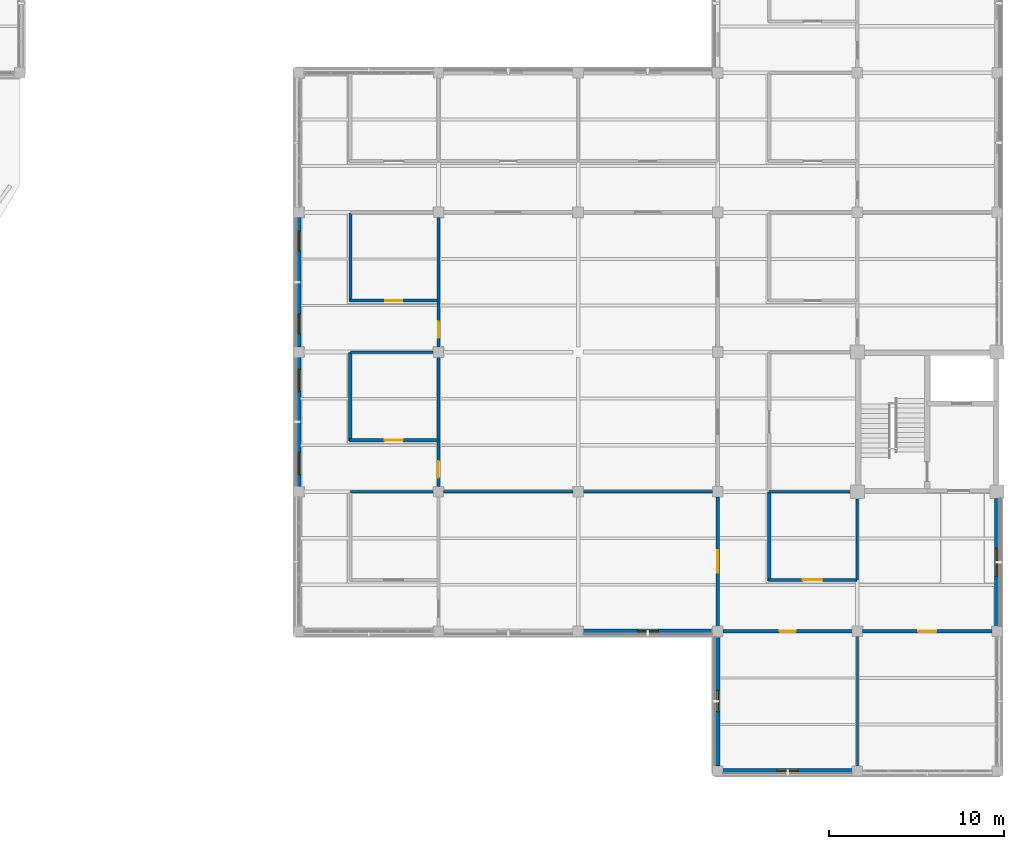
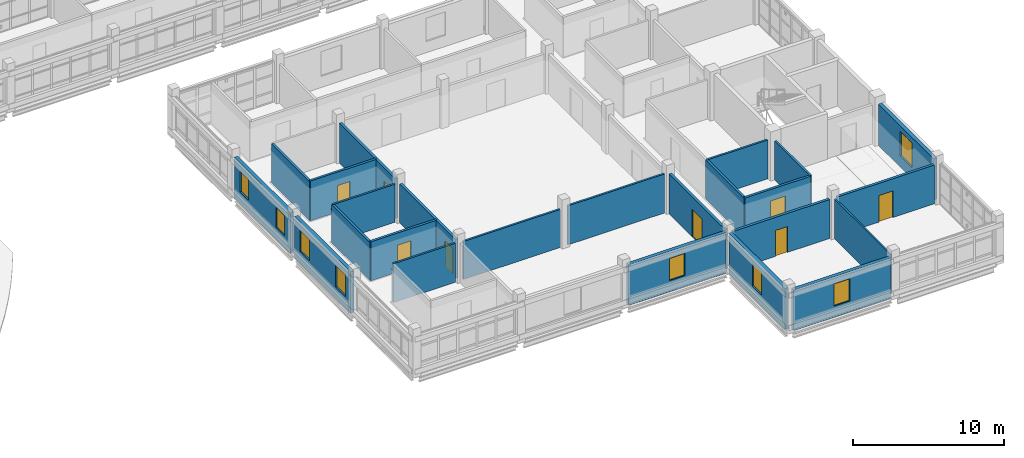
# One storey, part 99 of 126: 24 walls, 8 doors, 8 windows, 16 openings.
"""IFC4 building model written with IfcOpenShell, lengths in metres."""

import ifcopenshell
import ifcopenshell.guid

model = None  # the IFC model being written
_history = None  # IfcOwnerHistory: only IFC2X3 demands one
_inside = {}  # id of a spatial element -> (the spatial element, [elements in it])
_under = {}  # id of a project, library or spatial element -> (it, [spatial elements below it])
_declared = {}  # id of a project -> (the project, [libraries it declares])
_typed = {}  # id of a type object -> (the type object, [elements of that type])
_made_of = {}  # id of a material, layer set ... -> (it, [elements and type objects made of it])


def new_model(schema):
    """Start an empty IFC model of exactly this schema.

    Asked for "IFC4X3", IfcOpenShell would pick the latest addendum, in which some entities
    have other attributes; the version numbers below select the first issue.
    IFC2X3 requires an IfcOwnerHistory on every rooted entity: one is made here for all.
    """
    global model, _history
    if schema == "IFC4X3":
        model = ifcopenshell.file(schema_version=(4, 3, 0, 0))
    else:
        model = ifcopenshell.file(schema=schema)
    _inside.clear()
    _under.clear()
    _declared.clear()
    _typed.clear()
    _made_of.clear()
    _history = None
    if model.schema == "IFC2X3":
        org = make("IfcOrganization", Name="unknown")
        user = make(
            "IfcPersonAndOrganization",
            ThePerson=make("IfcPerson", FamilyName="unknown"),
            TheOrganization=org,
        )
        app = make(
            "IfcApplication",
            ApplicationDeveloper=org,
            Version="unknown",
            ApplicationFullName="unknown",
            ApplicationIdentifier="unknown",
        )
        _history = make(
            "IfcOwnerHistory",
            OwningUser=user,
            OwningApplication=app,
            ChangeAction="ADDED",
            CreationDate=0,
        )
    return model


def make(cls, **values):
    """One entity of the class cls with the attributes given. An attribute that is None is left unset."""
    return model.create_entity(
        cls, **{name: value for name, value in values.items() if value is not None}
    )


def rooted(cls, **values):
    """An entity with a GlobalId (a new one), such as an element, a storey or a relation."""
    return make(cls, GlobalId=ifcopenshell.guid.new(), OwnerHistory=_history, **values)


def si_unit(unit_type, name, prefix=None):
    """IfcSIUnit, for example si_unit("LENGTHUNIT", "METRE", prefix="MILLI")."""
    return make("IfcSIUnit", UnitType=unit_type, Prefix=prefix, Name=name)


def derived_unit(unit_type, elements):
    """IfcDerivedUnit: a product of units, each with its exponent."""
    return make(
        "IfcDerivedUnit",
        Elements=[
            make("IfcDerivedUnitElement", Unit=unit, Exponent=power)
            for unit, power in elements
        ],
        UnitType=unit_type,
    )


def assignment(units):
    """IfcUnitAssignment: the units of a project."""
    return None if units is None else make("IfcUnitAssignment", Units=units)


def point(xyz):
    """IfcCartesianPoint."""
    return None if xyz is None else make("IfcCartesianPoint", Coordinates=xyz)


def direction(xyz):
    """IfcDirection."""
    return None if xyz is None else make("IfcDirection", DirectionRatios=xyz)


def frame(location, z_axis=None, x_axis=None):
    """IfcAxis2Placement3D, a coordinate frame: its origin and axes. An axis left out is left unset."""
    return make(
        "IfcAxis2Placement3D",
        Location=point(location),
        Axis=direction(z_axis),
        RefDirection=direction(x_axis),
    )


def frame_2d(location, x_axis=None):
    """IfcAxis2Placement2D, a coordinate frame in the plane: its origin and x axis."""
    return make(
        "IfcAxis2Placement2D", Location=point(location), RefDirection=direction(x_axis)
    )


def origin():
    """The frame at (0, 0, 0) with its axes left unset."""
    return frame((0.0, 0.0, 0.0))


def place(relative_to, where):
    """IfcLocalPlacement: puts the frame where relative to a parent placement (None: the world)."""
    return make(
        "IfcLocalPlacement", PlacementRelTo=relative_to, RelativePlacement=where
    )


def context(
    kind, dimensions, precision=None, world=None, true_north=None, identifier=None
):
    """IfcGeometricRepresentationContext, for example the 3D "Model" context."""
    return make(
        "IfcGeometricRepresentationContext",
        ContextIdentifier=identifier,
        ContextType=kind,
        CoordinateSpaceDimension=dimensions,
        Precision=precision,
        WorldCoordinateSystem=world,
        TrueNorth=true_north,
    )


def subcontext(parent, identifier, kind, view, scale=None):
    """IfcGeometricRepresentationSubContext, for example "Body" below "Model"."""
    return make(
        "IfcGeometricRepresentationSubContext",
        ContextIdentifier=identifier,
        ContextType=kind,
        ParentContext=parent,
        TargetScale=scale,
        TargetView=view,
    )


def project(units=None, contexts=None):
    """IfcProject with its units and contexts."""
    return rooted(
        "IfcProject",
        Name="project",
        RepresentationContexts=contexts,
        UnitsInContext=assignment(units),
    )


def spatial(cls, under=None, at=None, **own):
    """A site, building, storey or space (cls), placed at a placement, below another one or the project."""
    s = rooted(cls, ObjectPlacement=at, **own)
    if under is not None:
        _under.setdefault(under.id(), (under, []))[1].append(s)
    return s


def profile(cls, at=None, kind="AREA", **sizes):
    """A parametric profile (cls). Its sizes go by their IFC names, for example OverallWidth=200.0."""
    return make(cls, ProfileType=kind, Position=at, **sizes)


def rectangle(**sizes):
    """IfcRectangleProfileDef."""
    return profile("IfcRectangleProfileDef", **sizes)


def extrude(swept, where, along, depth):
    """IfcExtrudedAreaSolid: the profile swept, set in the frame where, extruded along a direction by depth."""
    return make(
        "IfcExtrudedAreaSolid",
        SweptArea=swept,
        Position=where,
        ExtrudedDirection=direction(along),
        Depth=depth,
    )


def shape(context_of_items, identifier, shape_type, items):
    """IfcShapeRepresentation: the items that make up one representation, for example the "Body"."""
    return make(
        "IfcShapeRepresentation",
        ContextOfItems=context_of_items,
        RepresentationIdentifier=identifier,
        RepresentationType=shape_type,
        Items=items,
    )


def material(Name=None, Category=None):
    """IfcMaterial."""
    return make("IfcMaterial", Name=Name, Category=Category)


def layer(
    of_material, thickness, ventilated=None, Name=None, Category=None, Priority=None
):
    """IfcMaterialLayer: one layer of a wall or slab, of a material (None: an air gap)."""
    return make(
        "IfcMaterialLayer",
        Material=of_material,
        LayerThickness=thickness,
        IsVentilated=ventilated,
        Name=Name,
        Category=Category,
        Priority=Priority,
    )


def layer_set(layers, Name=None):
    """IfcMaterialLayerSet."""
    return make("IfcMaterialLayerSet", MaterialLayers=layers, LayerSetName=Name)


def made_of(thing, what):
    """Note that an element or type object is made of a material, layer set ...; save() writes the relation."""
    if what is not None:
        _made_of.setdefault(what.id(), (what, []))[1].append(thing)
    return thing


def type_object(cls, material=None, **own):
    """A type object (cls), such as IfcWallType, which elements share."""
    return made_of(rooted(cls, **own), material)


def element(
    cls,
    number,
    at=None,
    inside=None,
    cuts=None,
    type_object=None,
    material=None,
    context=None,
    identifier="Body",
    shape_type=None,
    held_by="IfcProductDefinitionShape",
    body=None,
    shapes=None,
    **own,
):
    """One element of the class cls, such as IfcWall. Its Tag is "e" and its number.

    at: its placement. inside: the storey or other place that contains it. cuts: it is an
    opening in that element (IfcRelVoidsElement). A single representation is given by context,
    identifier, shape_type and body (its items); several are given by shapes. held_by: the class
    of the entity that holds the representations. save() writes the other relations.
    """
    e = rooted(cls, Tag="e%d" % number, ObjectPlacement=at, **own)
    if body is not None:
        shapes = [shape(context, identifier, shape_type, body)]
    if shapes is not None:
        e.Representation = make(held_by, Representations=shapes)
    if inside is not None:
        _inside.setdefault(inside.id(), (inside, []))[1].append(e)
    if cuts is not None:
        rooted(
            "IfcRelVoidsElement", RelatingBuildingElement=cuts, RelatedOpeningElement=e
        )
    if type_object is not None:
        _typed.setdefault(type_object.id(), (type_object, []))[1].append(e)
    return made_of(e, material)


def fill(opening, filler):
    """IfcRelFillsElement: the door or window that sits in an opening."""
    return rooted(
        "IfcRelFillsElement",
        RelatingOpeningElement=opening,
        RelatedBuildingElement=filler,
    )


def aggregate(whole, parts):
    """IfcRelAggregates: a whole, such as a stair, and the parts it consists of."""
    return rooted("IfcRelAggregates", RelatingObject=whole, RelatedObjects=parts)


def save(model, path):
    """Write the relations noted so far, then the file.

    IfcRelAggregates (storeys below a building ...), IfcRelContainedInSpatialStructure (elements
    in a storey), IfcRelDefinesByType, IfcRelAssociatesMaterial and IfcRelDeclares: one each for
    every whole, place, type object, material and project.
    """
    for whole, parts in _under.values():
        aggregate(whole, parts)
    for where, things in _inside.values():
        rooted(
            "IfcRelContainedInSpatialStructure",
            RelatedElements=things,
            RelatingStructure=where,
        )
    for kind, things in _typed.values():
        rooted("IfcRelDefinesByType", RelatedObjects=things, RelatingType=kind)
    for what, things in _made_of.values():
        rooted("IfcRelAssociatesMaterial", RelatedObjects=things, RelatingMaterial=what)
    for by, libraries in _declared.values():
        rooted("IfcRelDeclares", RelatingContext=by, RelatedDefinitions=libraries)
    model.write(path)


model = new_model("IFC4")

# Units and contexts
model_context = context("Model", 3, precision=1e-05, world=origin(), true_north=direction((0.0, 1.0)))
body_context = subcontext(model_context, "Body", "Model", "MODEL_VIEW")
ifc_project = project(units=[si_unit("LENGTHUNIT", "METRE"), si_unit("AREAUNIT", "SQUARE_METRE"), si_unit("VOLUMEUNIT", "CUBIC_METRE"), si_unit("PLANEANGLEUNIT", "RADIAN"), si_unit("MASSUNIT", "GRAM", prefix="KILO"), derived_unit("THERMALTRANSMITTANCEUNIT", [(si_unit("MASSUNIT", "GRAM", prefix="KILO"), 1), (si_unit("TIMEUNIT", "SECOND"), -3), (si_unit("THERMODYNAMICTEMPERATUREUNIT", "KELVIN"), -1)])], contexts=[model_context])

# Site, building, storey
site_placement = place(None, origin())
site = spatial("IfcSite", under=ifc_project, at=site_placement, CompositionType="ELEMENT")
building_placement = place(site_placement, origin())
building = spatial("IfcBuilding", under=site, at=building_placement, Name="Veyamyaing Civic Hall", CompositionType="ELEMENT")
storey_placement = place(building_placement, frame((0.0, 0.0, 9.89990234375)))
storey = spatial("IfcBuildingStorey", under=building, at=storey_placement, Name="L02", CompositionType="ELEMENT", Elevation=9.89990234375)

# Wall, opening, door
ifc_material_1 = material(Name="Concrete C40/50", Category="concrete")
ifc_layer_1 = layer(ifc_material_1, 0.199951171875, Name="Concrete C40/50")
ifc_layer_set_1 = layer_set([ifc_layer_1], Name="Concrete C40/50")
wall_type_1 = type_object("IfcWallType", Name="WT-06", PredefinedType="PARTITIONING", material=ifc_layer_set_1)
wall_1_placement = place(storey_placement, frame((144.0, 16.2900390625, 0.0), z_axis=(0.0, 0.0, 1.0), x_axis=(0.0, 1.0, 0.0)))
wall_1 = element("IfcWall", 1, at=wall_1_placement, inside=storey, type_object=wall_type_1, Name="Interior partition wall WT-06 L02.47", PredefinedType="PARTITIONING", context=body_context, shape_type="SweptSolid", body=[
    extrude(rectangle(XDim=7.419921875, YDim=0.199951171875, at=frame_2d((3.7099609375, 0.0))), origin(), (0.0, 0.0, 1.0), 3.156982421875),
])
opening_1_placement = place(wall_1_placement, frame((0.52001953125, 0.0, 0.0)))
opening_1 = element("IfcOpeningElement", 2, at=opening_1_placement, cuts=wall_1, Name="Opening D-30", PredefinedType="OPENING", context=body_context, shape_type="SweptSolid", body=[
    extrude(rectangle(XDim=0.93994140625, YDim=2.1201171875, at=frame_2d((0.469970703125, 1.06005859375))), frame((0.0, 0.10986328125, 0.0), z_axis=(0.0, -1.0, 0.0), x_axis=(1.0, 0.0, 0.0)), (0.0, 0.0, 1.0), 0.219970703125),
])
ifc_material_2 = material(Name="Teak-veneered acoustic timber", Category="wood")
door_type_1 = type_object("IfcDoorType", Name="D-30", OperationType="NOTDEFINED", PredefinedType="DOOR", material=ifc_material_2)
door_1_placement = place(opening_1_placement, frame((0.93994140625, 0.0, 0.0), z_axis=(0.0, 0.0, 1.0), x_axis=(-1.0, 0.0, 0.0)))
door_1 = element("IfcDoor", 3, at=door_1_placement, inside=storey, type_object=door_type_1, Name="Interior door D-30 L02.47", OperationType="SINGLE_SWING_LEFT", OverallHeight=2.1201171875, OverallWidth=0.93994140625, PredefinedType="DOOR", context=body_context, shape_type="SweptSolid", body=[
    extrude(rectangle(XDim=0.93994140625, YDim=2.1201171875, at=frame_2d((0.469970703125, 1.06005859375))), frame((0.0, 0.02490234375, 0.0), z_axis=(0.0, -1.0, 0.0), x_axis=(1.0, 0.0, 0.0)), (0.0, 0.0, 1.0), 0.050048828125),
])
fill(opening_1, door_1)

wall_2_placement = place(storey_placement, frame((144.0, 24.2900390625, 0.0), z_axis=(0.0, 0.0, 1.0), x_axis=(0.0, 1.0, 0.0)))
wall_2 = element("IfcWall", 4, at=wall_2_placement, inside=storey, type_object=wall_type_1, Name="Interior partition wall WT-06 L02.48", PredefinedType="PARTITIONING", context=body_context, shape_type="SweptSolid", body=[
    extrude(rectangle(XDim=7.419921875, YDim=0.199951171875, at=frame_2d((3.7099609375, 0.0))), origin(), (0.0, 0.0, 1.0), 3.22705078125),
])
opening_2_placement = place(wall_2_placement, frame((0.52001953125, 0.0, 0.0)))
opening_2 = element("IfcOpeningElement", 5, at=opening_2_placement, cuts=wall_2, Name="Opening D-30", PredefinedType="OPENING", context=body_context, shape_type="SweptSolid", body=[
    extrude(rectangle(XDim=0.93994140625, YDim=2.1201171875, at=frame_2d((0.469970703125, 1.06005859375))), frame((0.0, 0.10986328125, 0.0), z_axis=(0.0, -1.0, 0.0), x_axis=(1.0, 0.0, 0.0)), (0.0, 0.0, 1.0), 0.219970703125),
])
door_2_placement = place(opening_2_placement, frame((0.93994140625, 0.0, 0.0), z_axis=(0.0, 0.0, 1.0), x_axis=(-1.0, 0.0, 0.0)))
door_2 = element("IfcDoor", 6, at=door_2_placement, inside=storey, type_object=door_type_1, Name="Interior door D-30 L02.48", OperationType="SINGLE_SWING_RIGHT", OverallHeight=2.1201171875, OverallWidth=0.93994140625, PredefinedType="DOOR", context=body_context, shape_type="SweptSolid", body=[
    extrude(rectangle(XDim=0.93994140625, YDim=2.1201171875, at=frame_2d((0.469970703125, 1.06005859375))), frame((0.0, 0.02490234375, 0.0), z_axis=(0.0, -1.0, 0.0), x_axis=(1.0, 0.0, 0.0)), (0.0, 0.0, 1.0), 0.050048828125),
])
fill(opening_2, door_2)

wall_3_placement = place(storey_placement, frame((160.0, 8.2900390625, 0.0), z_axis=(0.0, 0.0, 1.0), x_axis=(0.0, 1.0, 0.0)))
wall_3 = element("IfcWall", 7, at=wall_3_placement, inside=storey, type_object=wall_type_1, Name="Interior partition wall WT-06 L02.52", PredefinedType="PARTITIONING", context=body_context, shape_type="SweptSolid", body=[
    extrude(rectangle(XDim=7.419921875, YDim=0.199951171875, at=frame_2d((3.7099609375, 0.0))), origin(), (0.0, 0.0, 1.0), 3.22705078125),
])
opening_3_placement = place(wall_3_placement, frame((3.06005859375, 0.0, 0.0)))
opening_3 = element("IfcOpeningElement", 8, at=opening_3_placement, cuts=wall_3, Name="Opening D-18", PredefinedType="OPENING", context=body_context, shape_type="SweptSolid", body=[
    extrude(rectangle(XDim=1.300048828125, YDim=2.199951171875, at=frame_2d((0.64990234375, 1.10009765625))), frame((0.0, 0.10986328125, 0.0), z_axis=(0.0, -1.0, 0.0), x_axis=(1.0, 0.0, 0.0)), (0.0, 0.0, 1.0), 0.219970703125),
])
ifc_material_3 = material(Name="Anodised aluminium 6063-T6", Category="aluminium")
door_type_2 = type_object("IfcDoorType", Name="D-18", OperationType="DOUBLE_DOOR_SINGLE_SWING", PredefinedType="DOOR", material=ifc_material_3)
door_3_placement = place(opening_3_placement, origin())
door_3 = element("IfcDoor", 9, at=door_3_placement, inside=storey, type_object=door_type_2, Name="Interior door D-18 L02.52", OperationType="DOUBLE_DOOR_SINGLE_SWING", OverallHeight=2.199951171875, OverallWidth=1.300048828125, PredefinedType="DOOR", context=body_context, shape_type="SweptSolid", body=[
    extrude(rectangle(XDim=1.300048828125, YDim=2.199951171875, at=frame_2d((0.64990234375, 1.10009765625))), frame((0.0, 0.02490234375, 0.0), z_axis=(0.0, -1.0, 0.0), x_axis=(1.0, 0.0, 0.0)), (0.0, 0.0, 1.0), 0.050048828125),
])
fill(opening_3, door_3)

wall_4_placement = place(storey_placement, frame((160.2900390625, 8.0, 0.0), z_axis=(0.0, 0.0, 1.0), x_axis=(1.0, 0.0, 0.0)))
wall_4 = element("IfcWall", 10, at=wall_4_placement, inside=storey, type_object=wall_type_1, Name="Interior partition wall WT-06 L02.60", PredefinedType="PARTITIONING", context=body_context, shape_type="SweptSolid", body=[
    extrude(rectangle(XDim=7.419921875, YDim=0.199951171875, at=frame_2d((3.7099609375, 0.0))), origin(), (0.0, 0.0, 1.0), 3.156982421875),
])
opening_4_placement = place(wall_4_placement, frame((3.25, 0.0, 0.0)))
opening_4 = element("IfcOpeningElement", 11, at=opening_4_placement, cuts=wall_4, Name="Opening D-16", PredefinedType="OPENING", context=body_context, shape_type="SweptSolid", body=[
    extrude(rectangle(XDim=0.919921875, YDim=2.10009765625, at=frame_2d((0.4599609375, 1.050048828125))), frame((0.0, 0.10986328125, 0.0), z_axis=(0.0, -1.0, 0.0), x_axis=(1.0, 0.0, 0.0)), (0.0, 0.0, 1.0), 0.219970703125),
])
door_type_3 = type_object("IfcDoorType", Name="D-16", OperationType="NOTDEFINED", PredefinedType="DOOR", material=ifc_material_2)
door_4_placement = place(opening_4_placement, frame((0.919921875, 0.0, 0.0), z_axis=(0.0, 0.0, 1.0), x_axis=(-1.0, 0.0, 0.0)))
door_4 = element("IfcDoor", 12, at=door_4_placement, inside=storey, type_object=door_type_3, Name="Interior door D-16 L02.60", OperationType="SINGLE_SWING_LEFT", OverallHeight=2.10009765625, OverallWidth=0.919921875, PredefinedType="DOOR", context=body_context, shape_type="SweptSolid", body=[
    extrude(rectangle(XDim=0.919921875, YDim=2.10009765625, at=frame_2d((0.4599609375, 1.050048828125))), frame((0.0, 0.02490234375, 0.0), z_axis=(0.0, -1.0, 0.0), x_axis=(1.0, 0.0, 0.0)), (0.0, 0.0, 1.0), 0.050048828125),
])
fill(opening_4, door_4)

wall_5_placement = place(storey_placement, frame((168.2900390625, 8.0, 0.0), z_axis=(0.0, 0.0, 1.0), x_axis=(1.0, 0.0, 0.0)))
wall_5 = element("IfcWall", 13, at=wall_5_placement, inside=storey, type_object=wall_type_1, Name="Interior partition wall WT-06 L02.67", PredefinedType="PARTITIONING", context=body_context, shape_type="SweptSolid", body=[
    extrude(rectangle(XDim=7.419921875, YDim=0.199951171875, at=frame_2d((3.7099609375, 0.0))), origin(), (0.0, 0.0, 1.0), 3.14111328125),
])
opening_5_placement = place(wall_5_placement, frame((3.18505859375, 0.0, 0.0)))
opening_5 = element("IfcOpeningElement", 14, at=opening_5_placement, cuts=wall_5, Name="Opening D-12", PredefinedType="OPENING", context=body_context, shape_type="SweptSolid", body=[
    extrude(rectangle(XDim=1.050048828125, YDim=2.14990234375, at=frame_2d((0.52490234375, 1.074951171875))), frame((0.0, 0.10986328125, 0.0), z_axis=(0.0, -1.0, 0.0), x_axis=(1.0, 0.0, 0.0)), (0.0, 0.0, 1.0), 0.219970703125),
])
door_type_4 = type_object("IfcDoorType", Name="D-12", OperationType="NOTDEFINED", PredefinedType="DOOR", material=ifc_material_2)
door_5_placement = place(opening_5_placement, frame((1.050048828125, 0.0, 0.0), z_axis=(0.0, 0.0, 1.0), x_axis=(-1.0, 0.0, 0.0)))
door_5 = element("IfcDoor", 15, at=door_5_placement, inside=storey, type_object=door_type_4, Name="Interior door D-12 L02.67", OperationType="SINGLE_SWING_RIGHT", OverallHeight=2.14990234375, OverallWidth=1.050048828125, PredefinedType="DOOR", context=body_context, shape_type="SweptSolid", body=[
    extrude(rectangle(XDim=1.050048828125, YDim=2.14990234375, at=frame_2d((0.52490234375, 1.074951171875))), frame((0.0, 0.02490234375, 0.0), z_axis=(0.0, -1.0, 0.0), x_axis=(1.0, 0.0, 0.0)), (0.0, 0.0, 1.0), 0.050048828125),
])
fill(opening_5, door_5)

ifc_material_4 = material(Name="Gypsum board on acoustic steel stud", Category="steel")
ifc_layer_2 = layer(ifc_material_4, 0.175048828125, Name="Gypsum board on acoustic steel stud")
ifc_layer_set_2 = layer_set([ifc_layer_2], Name="Gypsum board on acoustic steel stud")
wall_type_2 = type_object("IfcWallType", Name="WT-07", PredefinedType="PARTITIONING", material=ifc_layer_set_2)
wall_6_placement = place(storey_placement, frame((138.89990234375, 26.949951171875, 0.0), z_axis=(0.0, 0.0, 1.0), x_axis=(1.0, 0.0, 0.0)))
wall_6 = element("IfcWall", 16, at=wall_6_placement, inside=storey, type_object=wall_type_2, Name="Corridor gallery partition WT-07 L02.53.1", PredefinedType="PARTITIONING", context=body_context, shape_type="SweptSolid", body=[
    extrude(rectangle(XDim=5.080078125, YDim=0.175048828125, at=frame_2d((2.5400390625, 0.0))), origin(), (0.0, 0.0, 1.0), 3.22705078125),
])
opening_6_placement = place(wall_6_placement, frame((2.06005859375, 0.0, 0.0)))
opening_6 = element("IfcOpeningElement", 17, at=opening_6_placement, cuts=wall_6, Name="Opening D-25", PredefinedType="OPENING", context=body_context, shape_type="SweptSolid", body=[
    extrude(rectangle(XDim=0.9599609375, YDim=2.139892578125, at=frame_2d((0.47998046875, 1.06982421875))), frame((0.0, 0.097412109375, 0.0), z_axis=(0.0, -1.0, 0.0), x_axis=(1.0, 0.0, 0.0)), (0.0, 0.0, 1.0), 0.195068359375),
])
door_type_5 = type_object("IfcDoorType", Name="D-25", OperationType="NOTDEFINED", PredefinedType="DOOR", material=ifc_material_2)
door_6_placement = place(opening_6_placement, origin())
door_6 = element("IfcDoor", 18, at=door_6_placement, inside=storey, type_object=door_type_5, Name="Gallery office door D-25 L02.53", OperationType="SINGLE_SWING_LEFT", OverallHeight=2.139892578125, OverallWidth=0.9599609375, PredefinedType="DOOR", context=body_context, shape_type="SweptSolid", body=[
    extrude(rectangle(XDim=0.9599609375, YDim=2.139892578125, at=frame_2d((0.47998046875, 1.06982421875))), frame((0.0, 0.02490234375, 0.0), z_axis=(0.0, -1.0, 0.0), x_axis=(1.0, 0.0, 0.0)), (0.0, 0.0, 1.0), 0.050048828125),
])
fill(opening_6, door_6)

# Walls
wall_7_placement = place(storey_placement, frame((138.949951171875, 26.89990234375, 0.0), z_axis=(0.0, 0.0, 1.0), x_axis=(0.0, 1.0, 0.0)))
element("IfcWall", 19, at=wall_7_placement, inside=storey, type_object=wall_type_2, Name="Corridor gallery partition WT-07 L02.53.2", PredefinedType="PARTITIONING", context=body_context, shape_type="SweptSolid", body=[
    extrude(rectangle(XDim=5.080078125, YDim=0.175048828125, at=frame_2d((2.5400390625, 0.0))), origin(), (0.0, 0.0, 1.0), 3.156982421875),
])
ifc_material_5 = material(Name="Gypsum board on steel stud", Category="steel")
ifc_layer_3 = layer(ifc_material_5, 0.14990234375, Name="Gypsum board on steel stud")
ifc_layer_set_3 = layer_set([ifc_layer_3], Name="Gypsum board on steel stud")
wall_type_3 = type_object("IfcWallType", Name="WT-08", PredefinedType="PARTITIONING", material=ifc_layer_set_3)
wall_8_placement = place(storey_placement, frame((138.949951171875, 16.0, 0.0), z_axis=(0.0, 0.0, 1.0), x_axis=(1.0, 0.0, 0.0)))
element("IfcWall", 20, at=wall_8_placement, inside=storey, type_object=wall_type_3, Name="Gallery office end partition WT-08 L02.51.1", PredefinedType="PARTITIONING", context=body_context, shape_type="SweptSolid", body=[
    extrude(rectangle(XDim=4.739990234375, YDim=0.14990234375, at=frame_2d((2.3701171875, 0.0))), origin(), (0.0, 0.0, 1.0), 3.151123046875),
])
wall_9_placement = place(storey_placement, frame((138.949951171875, 24.0, 0.0), z_axis=(0.0, 0.0, 1.0), x_axis=(1.0, 0.0, 0.0)))
element("IfcWall", 21, at=wall_9_placement, inside=storey, type_object=wall_type_3, Name="Gallery office end partition WT-08 L02.52.1", PredefinedType="PARTITIONING", context=body_context, shape_type="SweptSolid", body=[
    extrude(rectangle(XDim=4.739990234375, YDim=0.14990234375, at=frame_2d((2.3701171875, 0.0))), origin(), (0.0, 0.0, 1.0), 3.08203125),
])
wall_10_placement = place(storey_placement, frame((162.949951171875, 16.0, 0.0), z_axis=(0.0, 0.0, 1.0), x_axis=(1.0, 0.0, 0.0)))
element("IfcWall", 22, at=wall_10_placement, inside=storey, type_object=wall_type_3, Name="Gallery office end partition WT-08 L02.64.1", PredefinedType="PARTITIONING", context=body_context, shape_type="SweptSolid", body=[
    extrude(rectangle(XDim=4.64013671875, YDim=0.14990234375, at=frame_2d((2.320068359375, 0.0))), origin(), (0.0, 0.0, 1.0), 3.14111328125),
])
wall_11_placement = place(storey_placement, frame((168.0, 10.949951171875, 0.0), z_axis=(0.0, 0.0, 1.0), x_axis=(0.0, 1.0, 0.0)))
element("IfcWall", 23, at=wall_11_placement, inside=storey, type_object=wall_type_3, Name="Gallery office end partition WT-08 L02.64.2", PredefinedType="PARTITIONING", context=body_context, shape_type="SweptSolid", body=[
    extrude(rectangle(XDim=4.64013671875, YDim=0.14990234375, at=frame_2d((2.320068359375, 0.0))), origin(), (0.0, 0.0, 1.0), 3.151123046875),
])
wall_12_placement = place(storey_placement, frame((144.2900390625, 16.0, 0.0), z_axis=(0.0, 0.0, 1.0), x_axis=(1.0, 0.0, 0.0)))
element("IfcWall", 24, at=wall_12_placement, inside=storey, type_object=wall_type_3, Name="Interior partition wall WT-08 L02.49", PredefinedType="PARTITIONING", context=body_context, shape_type="SweptSolid", body=[
    extrude(rectangle(XDim=7.419921875, YDim=0.14990234375, at=frame_2d((3.7099609375, 0.0))), origin(), (0.0, 0.0, 1.0), 3.08203125),
])
wall_13_placement = place(storey_placement, frame((152.2900390625, 16.0, 0.0), z_axis=(0.0, 0.0, 1.0), x_axis=(1.0, 0.0, 0.0)))
element("IfcWall", 25, at=wall_13_placement, inside=storey, type_object=wall_type_3, Name="Interior partition wall WT-08 L02.53", PredefinedType="PARTITIONING", context=body_context, shape_type="SweptSolid", body=[
    extrude(rectangle(XDim=7.419921875, YDim=0.14990234375, at=frame_2d((3.7099609375, 0.0))), origin(), (0.0, 0.0, 1.0), 3.156982421875),
])
ifc_layer_4 = layer(ifc_material_5, 0.1201171875, Name="Gypsum board on steel stud")
ifc_layer_set_4 = layer_set([ifc_layer_4], Name="Gypsum board on steel stud")
wall_type_4 = type_object("IfcWallType", Name="WT-16", PredefinedType="PARTITIONING", material=ifc_layer_set_4)
wall_14_placement = place(storey_placement, frame((168.0, 0.2900390625, 0.0), z_axis=(0.0, 0.0, 1.0), x_axis=(0.0, 1.0, 0.0)))
element("IfcWall", 26, at=wall_14_placement, inside=storey, type_object=wall_type_4, Name="Interior partition wall WT-16 L02.59", PredefinedType="PARTITIONING", context=body_context, shape_type="SweptSolid", body=[
    extrude(rectangle(XDim=7.419921875, YDim=0.1201171875, at=frame_2d((3.7099609375, 0.0))), origin(), (0.0, 0.0, 1.0), 3.22705078125),
])

# Wall, openings, windows
ifc_material_6 = material(Name="Precast concrete C40/50", Category="concrete")
ifc_layer_5 = layer(ifc_material_6, 0.27001953125, Name="Precast concrete C40/50")
ifc_layer_set_5 = layer_set([ifc_layer_5], Name="Precast concrete C40/50")
wall_type_5 = type_object("IfcWallType", Name="WT-18", PredefinedType="SOLIDWALL", material=ifc_layer_set_5)
wall_15_placement = place(storey_placement, frame((136.0, 16.284912109375, 0.0), z_axis=(0.0, 0.0, 1.0), x_axis=(0.0, 1.0, 0.0)))
wall_15 = element("IfcWall", 27, at=wall_15_placement, inside=storey, type_object=wall_type_5, Name="Exterior facade wall WT-18 L02 W 18.3", PredefinedType="SOLIDWALL", context=body_context, shape_type="SweptSolid", body=[
    extrude(rectangle(XDim=7.43017578125, YDim=0.27001953125, at=frame_2d((3.715087890625, 0.0))), origin(), (0.0, 0.0, 1.0), 3.343994140625),
])
opening_7_placement = place(wall_15_placement, frame((0.697509765625, 0.0, 0.949951171875)))
opening_7 = element("IfcOpeningElement", 28, at=opening_7_placement, cuts=wall_15, Name="Opening W-31", PredefinedType="OPENING", context=body_context, shape_type="SweptSolid", body=[
    extrude(rectangle(XDim=1.280029296875, YDim=1.719970703125, at=frame_2d((0.64013671875, 0.85986328125))), frame((0.0, 0.14501953125, 0.0), z_axis=(0.0, -1.0, 0.0), x_axis=(1.0, 0.0, 0.0)), (0.0, 0.0, 1.0), 0.2900390625),
])
opening_8_placement = place(wall_15_placement, frame((5.45263671875, 0.0, 0.949951171875)))
opening_8 = element("IfcOpeningElement", 29, at=opening_8_placement, cuts=wall_15, Name="Opening W-31", PredefinedType="OPENING", context=body_context, shape_type="SweptSolid", body=[
    extrude(rectangle(XDim=1.280029296875, YDim=1.719970703125, at=frame_2d((0.64013671875, 0.85986328125))), frame((0.0, 0.14501953125, 0.0), z_axis=(0.0, -1.0, 0.0), x_axis=(1.0, 0.0, 0.0)), (0.0, 0.0, 1.0), 0.2900390625),
])
ifc_material_7 = material(Name="Low-E insulated glass", Category="glass")
window_type_1 = type_object("IfcWindowType", Name="W-31", PartitioningType="SINGLE_PANEL", PredefinedType="WINDOW", material=ifc_material_7)
window_1_placement = place(opening_7_placement, origin())
window_1 = element("IfcWindow", 30, at=window_1_placement, inside=storey, type_object=window_type_1, Name="Facade window W-31 L02 W 18.3.1", OverallHeight=1.719970703125, OverallWidth=1.280029296875, PartitioningType="SINGLE_PANEL", PredefinedType="WINDOW", context=body_context, shape_type="SweptSolid", body=[
    extrude(rectangle(XDim=1.280029296875, YDim=1.719970703125, at=frame_2d((0.64013671875, 0.85986328125))), frame((0.0, 0.030029296875, 0.0), z_axis=(0.0, -1.0, 0.0), x_axis=(1.0, 0.0, 0.0)), (0.0, 0.0, 1.0), 0.06005859375),
])
fill(opening_7, window_1)
window_2_placement = place(opening_8_placement, origin())
window_2 = element("IfcWindow", 31, at=window_2_placement, inside=storey, type_object=window_type_1, Name="Facade window W-31 L02 W 18.3.2", OverallHeight=1.719970703125, OverallWidth=1.280029296875, PartitioningType="SINGLE_PANEL", PredefinedType="WINDOW", context=body_context, shape_type="SweptSolid", body=[
    extrude(rectangle(XDim=1.280029296875, YDim=1.719970703125, at=frame_2d((0.64013671875, 0.85986328125))), frame((0.0, 0.030029296875, 0.0), z_axis=(0.0, -1.0, 0.0), x_axis=(1.0, 0.0, 0.0)), (0.0, 0.0, 1.0), 0.06005859375),
])
fill(opening_8, window_2)

wall_16_placement = place(storey_placement, frame((136.0, 24.284912109375, 0.0), z_axis=(0.0, 0.0, 1.0), x_axis=(0.0, 1.0, 0.0)))
wall_16 = element("IfcWall", 32, at=wall_16_placement, inside=storey, type_object=wall_type_5, Name="Exterior facade wall WT-18 L02 W 18.4", PredefinedType="SOLIDWALL", context=body_context, shape_type="SweptSolid", body=[
    extrude(rectangle(XDim=7.43017578125, YDim=0.27001953125, at=frame_2d((3.715087890625, 0.0))), origin(), (0.0, 0.0, 1.0), 3.2841796875),
])
opening_9_placement = place(wall_16_placement, frame((0.762451171875, 0.0, 0.949951171875)))
opening_9 = element("IfcOpeningElement", 33, at=opening_9_placement, cuts=wall_16, Name="Opening W-32", PredefinedType="OPENING", context=body_context, shape_type="SweptSolid", body=[
    extrude(rectangle(XDim=1.14990234375, YDim=1.64990234375, at=frame_2d((0.574951171875, 0.824951171875))), frame((0.0, 0.14501953125, 0.0), z_axis=(0.0, -1.0, 0.0), x_axis=(1.0, 0.0, 0.0)), (0.0, 0.0, 1.0), 0.2900390625),
])
opening_10_placement = place(wall_16_placement, frame((5.517578125, 0.0, 0.949951171875)))
opening_10 = element("IfcOpeningElement", 34, at=opening_10_placement, cuts=wall_16, Name="Opening W-32", PredefinedType="OPENING", context=body_context, shape_type="SweptSolid", body=[
    extrude(rectangle(XDim=1.14990234375, YDim=1.64990234375, at=frame_2d((0.574951171875, 0.824951171875))), frame((0.0, 0.14501953125, 0.0), z_axis=(0.0, -1.0, 0.0), x_axis=(1.0, 0.0, 0.0)), (0.0, 0.0, 1.0), 0.2900390625),
])
window_type_2 = type_object("IfcWindowType", Name="W-32", PartitioningType="SINGLE_PANEL", PredefinedType="WINDOW", material=ifc_material_7)
window_3_placement = place(opening_9_placement, origin())
window_3 = element("IfcWindow", 35, at=window_3_placement, inside=storey, type_object=window_type_2, Name="Facade window W-32 L02 W 18.4.1", OverallHeight=1.64990234375, OverallWidth=1.14990234375, PartitioningType="SINGLE_PANEL", PredefinedType="WINDOW", context=body_context, shape_type="SweptSolid", body=[
    extrude(rectangle(XDim=1.14990234375, YDim=1.64990234375, at=frame_2d((0.574951171875, 0.824951171875))), frame((0.0, 0.030029296875, 0.0), z_axis=(0.0, -1.0, 0.0), x_axis=(1.0, 0.0, 0.0)), (0.0, 0.0, 1.0), 0.06005859375),
])
fill(opening_9, window_3)
window_4_placement = place(opening_10_placement, origin())
window_4 = element("IfcWindow", 36, at=window_4_placement, inside=storey, type_object=window_type_2, Name="Facade window W-32 L02 W 18.4.2", OverallHeight=1.64990234375, OverallWidth=1.14990234375, PartitioningType="SINGLE_PANEL", PredefinedType="WINDOW", context=body_context, shape_type="SweptSolid", body=[
    extrude(rectangle(XDim=1.14990234375, YDim=1.64990234375, at=frame_2d((0.574951171875, 0.824951171875))), frame((0.0, 0.030029296875, 0.0), z_axis=(0.0, -1.0, 0.0), x_axis=(1.0, 0.0, 0.0)), (0.0, 0.0, 1.0), 0.06005859375),
])
fill(opening_10, window_4)

# Wall, opening, window
wall_17_placement = place(storey_placement, frame((152.284912109375, 8.0, 0.0), z_axis=(0.0, 0.0, 1.0), x_axis=(1.0, 0.0, 0.0)))
wall_17 = element("IfcWall", 37, at=wall_17_placement, inside=storey, type_object=wall_type_5, Name="Exterior facade wall WT-18 L02 S 20.2", PredefinedType="SOLIDWALL", context=body_context, shape_type="SweptSolid", body=[
    extrude(rectangle(XDim=7.43017578125, YDim=0.27001953125, at=frame_2d((3.715087890625, 0.0))), origin(), (0.0, 0.0, 1.0), 3.2841796875),
])
opening_11_placement = place(wall_17_placement, frame((3.114990234375, 0.0, 0.89990234375)))
opening_11 = element("IfcOpeningElement", 38, at=opening_11_placement, cuts=wall_17, Name="Opening W-14", PredefinedType="OPENING", context=body_context, shape_type="SweptSolid", body=[
    extrude(rectangle(XDim=1.199951171875, YDim=1.800048828125, at=frame_2d((0.60009765625, 0.89990234375))), frame((0.0, 0.14501953125, 0.0), z_axis=(0.0, -1.0, 0.0), x_axis=(1.0, 0.0, 0.0)), (0.0, 0.0, 1.0), 0.2900390625),
])
window_type_3 = type_object("IfcWindowType", Name="W-14", PartitioningType="SINGLE_PANEL", PredefinedType="WINDOW", material=ifc_material_7)
window_5_placement = place(opening_11_placement, origin())
window_5 = element("IfcWindow", 39, at=window_5_placement, inside=storey, type_object=window_type_3, Name="Facade window W-14 L02 S 20.2", OverallHeight=1.800048828125, OverallWidth=1.199951171875, PartitioningType="SINGLE_PANEL", PredefinedType="WINDOW", context=body_context, shape_type="SweptSolid", body=[
    extrude(rectangle(XDim=1.199951171875, YDim=1.800048828125, at=frame_2d((0.60009765625, 0.89990234375))), frame((0.0, 0.030029296875, 0.0), z_axis=(0.0, -1.0, 0.0), x_axis=(1.0, 0.0, 0.0)), (0.0, 0.0, 1.0), 0.06005859375),
])
fill(opening_11, window_5)

wall_18_placement = place(storey_placement, frame((160.284912109375, 0.0, 0.0), z_axis=(0.0, 0.0, 1.0), x_axis=(1.0, 0.0, 0.0)))
wall_18 = element("IfcWall", 40, at=wall_18_placement, inside=storey, type_object=wall_type_5, Name="Exterior facade wall WT-18 L02 S 21.1", PredefinedType="SOLIDWALL", context=body_context, shape_type="SweptSolid", body=[
    extrude(rectangle(XDim=7.43017578125, YDim=0.27001953125, at=frame_2d((3.715087890625, 0.0))), origin(), (0.0, 0.0, 1.0), 3.2841796875),
])
opening_12_placement = place(wall_18_placement, frame((3.114990234375, 0.0, 0.89990234375)))
opening_12 = element("IfcOpeningElement", 41, at=opening_12_placement, cuts=wall_18, Name="Opening W-14", PredefinedType="OPENING", context=body_context, shape_type="SweptSolid", body=[
    extrude(rectangle(XDim=1.199951171875, YDim=1.800048828125, at=frame_2d((0.60009765625, 0.89990234375))), frame((0.0, 0.14501953125, 0.0), z_axis=(0.0, -1.0, 0.0), x_axis=(1.0, 0.0, 0.0)), (0.0, 0.0, 1.0), 0.2900390625),
])
window_6_placement = place(opening_12_placement, origin())
window_6 = element("IfcWindow", 42, at=window_6_placement, inside=storey, type_object=window_type_3, Name="Facade window W-14 L02 S 21.1", OverallHeight=1.800048828125, OverallWidth=1.199951171875, PartitioningType="SINGLE_PANEL", PredefinedType="WINDOW", context=body_context, shape_type="SweptSolid", body=[
    extrude(rectangle(XDim=1.199951171875, YDim=1.800048828125, at=frame_2d((0.60009765625, 0.89990234375))), frame((0.0, 0.030029296875, 0.0), z_axis=(0.0, -1.0, 0.0), x_axis=(1.0, 0.0, 0.0)), (0.0, 0.0, 1.0), 0.06005859375),
])
fill(opening_12, window_6)

wall_19_placement = place(storey_placement, frame((160.0, 0.284912109375, 0.0), z_axis=(0.0, 0.0, 1.0), x_axis=(0.0, 1.0, 0.0)))
wall_19 = element("IfcWall", 43, at=wall_19_placement, inside=storey, type_object=wall_type_5, Name="Exterior facade wall WT-18 L02 W 21.1", PredefinedType="SOLIDWALL", context=body_context, shape_type="SweptSolid", body=[
    extrude(rectangle(XDim=7.43017578125, YDim=0.27001953125, at=frame_2d((3.715087890625, 0.0))), origin(), (0.0, 0.0, 1.0), 3.2841796875),
])
opening_13_placement = place(wall_19_placement, frame((3.114990234375, 0.0, 0.89990234375)))
opening_13 = element("IfcOpeningElement", 44, at=opening_13_placement, cuts=wall_19, Name="Opening W-14", PredefinedType="OPENING", context=body_context, shape_type="SweptSolid", body=[
    extrude(rectangle(XDim=1.199951171875, YDim=1.800048828125, at=frame_2d((0.60009765625, 0.89990234375))), frame((0.0, 0.14501953125, 0.0), z_axis=(0.0, -1.0, 0.0), x_axis=(1.0, 0.0, 0.0)), (0.0, 0.0, 1.0), 0.2900390625),
])
window_7_placement = place(opening_13_placement, origin())
window_7 = element("IfcWindow", 45, at=window_7_placement, inside=storey, type_object=window_type_3, Name="Facade window W-14 L02 W 21.1", OverallHeight=1.800048828125, OverallWidth=1.199951171875, PartitioningType="SINGLE_PANEL", PredefinedType="WINDOW", context=body_context, shape_type="SweptSolid", body=[
    extrude(rectangle(XDim=1.199951171875, YDim=1.800048828125, at=frame_2d((0.60009765625, 0.89990234375))), frame((0.0, 0.030029296875, 0.0), z_axis=(0.0, -1.0, 0.0), x_axis=(1.0, 0.0, 0.0)), (0.0, 0.0, 1.0), 0.06005859375),
])
fill(opening_13, window_7)

wall_20_placement = place(storey_placement, frame((176.0, 8.284912109375, 0.0), z_axis=(0.0, 0.0, 1.0), x_axis=(0.0, 1.0, 0.0)))
wall_20 = element("IfcWall", 46, at=wall_20_placement, inside=storey, type_object=wall_type_5, Name="Exterior facade wall WT-18 L02 E 22.2", PredefinedType="SOLIDWALL", context=body_context, shape_type="SweptSolid", body=[
    extrude(rectangle(XDim=7.330078125, YDim=0.27001953125, at=frame_2d((3.6650390625, 0.0))), origin(), (0.0, 0.0, 1.0), 3.343994140625),
])
opening_14_placement = place(wall_20_placement, frame((2.864990234375, 0.0, 0.89990234375)))
opening_14 = element("IfcOpeningElement", 47, at=opening_14_placement, cuts=wall_20, Name="Opening W-11", PredefinedType="OPENING", context=body_context, shape_type="SweptSolid", body=[
    extrude(rectangle(XDim=1.60009765625, YDim=2.0, at=frame_2d((0.800048828125, 1.0))), frame((0.0, 0.14501953125, 0.0), z_axis=(0.0, -1.0, 0.0), x_axis=(1.0, 0.0, 0.0)), (0.0, 0.0, 1.0), 0.2900390625),
])
window_type_4 = type_object("IfcWindowType", Name="W-11", PartitioningType="SINGLE_PANEL", PredefinedType="WINDOW", material=ifc_material_7)
window_8_placement = place(opening_14_placement, origin())
window_8 = element("IfcWindow", 48, at=window_8_placement, inside=storey, type_object=window_type_4, Name="Facade window W-11 L02 E 22.2", OverallHeight=2.0, OverallWidth=1.60009765625, PartitioningType="SINGLE_PANEL", PredefinedType="WINDOW", context=body_context, shape_type="SweptSolid", body=[
    extrude(rectangle(XDim=1.60009765625, YDim=2.0, at=frame_2d((0.800048828125, 1.0))), frame((0.0, 0.030029296875, 0.0), z_axis=(0.0, -1.0, 0.0), x_axis=(1.0, 0.0, 0.0)), (0.0, 0.0, 1.0), 0.06005859375),
])
fill(opening_14, window_8)

# Wall, opening, door
ifc_material_8 = material(Name="Gypsum board on double acoustic stud")
ifc_layer_6 = layer(ifc_material_8, 0.18505859375, Name="Gypsum board on double acoustic stud")
ifc_layer_set_6 = layer_set([ifc_layer_6], Name="Gypsum board on double acoustic stud")
wall_type_6 = type_object("IfcWallType", Name="WT-19", PredefinedType="PARTITIONING", material=ifc_layer_set_6)
wall_21_placement = place(storey_placement, frame((138.89990234375, 18.949951171875, 0.0), z_axis=(0.0, 0.0, 1.0), x_axis=(1.0, 0.0, 0.0)))
wall_21 = element("IfcWall", 49, at=wall_21_placement, inside=storey, type_object=wall_type_6, Name="Corridor gallery partition WT-19 L02.52.1", PredefinedType="PARTITIONING", context=body_context, shape_type="SweptSolid", body=[
    extrude(rectangle(XDim=5.080078125, YDim=0.18505859375, at=frame_2d((2.5400390625, 0.0))), origin(), (0.0, 0.0, 1.0), 3.156982421875),
])
opening_15_placement = place(wall_21_placement, frame((2.02001953125, 0.0, 0.0)))
opening_15 = element("IfcOpeningElement", 50, at=opening_15_placement, cuts=wall_21, Name="Opening D-24", PredefinedType="OPENING", context=body_context, shape_type="SweptSolid", body=[
    extrude(rectangle(XDim=1.0400390625, YDim=2.179931640625, at=frame_2d((0.52001953125, 1.08984375))), frame((0.0, 0.1025390625, 0.0), z_axis=(0.0, -1.0, 0.0), x_axis=(1.0, 0.0, 0.0)), (0.0, 0.0, 1.0), 0.205078125),
])
door_type_6 = type_object("IfcDoorType", Name="D-24", OperationType="NOTDEFINED", PredefinedType="DOOR", material=ifc_material_2)
door_7_placement = place(opening_15_placement, origin())
door_7 = element("IfcDoor", 51, at=door_7_placement, inside=storey, type_object=door_type_6, Name="Gallery office door D-24 L02.52", OperationType="SINGLE_SWING_RIGHT", OverallHeight=2.179931640625, OverallWidth=1.0400390625, PredefinedType="DOOR", context=body_context, shape_type="SweptSolid", body=[
    extrude(rectangle(XDim=1.0400390625, YDim=2.179931640625, at=frame_2d((0.52001953125, 1.08984375))), frame((0.0, 0.02490234375, 0.0), z_axis=(0.0, -1.0, 0.0), x_axis=(1.0, 0.0, 0.0)), (0.0, 0.0, 1.0), 0.050048828125),
])
fill(opening_15, door_7)

# Wall
wall_22_placement = place(storey_placement, frame((138.949951171875, 18.89990234375, 0.0), z_axis=(0.0, 0.0, 1.0), x_axis=(0.0, 1.0, 0.0)))
element("IfcWall", 52, at=wall_22_placement, inside=storey, type_object=wall_type_6, Name="Corridor gallery partition WT-19 L02.52.2", PredefinedType="PARTITIONING", context=body_context, shape_type="SweptSolid", body=[
    extrude(rectangle(XDim=5.080078125, YDim=0.18505859375, at=frame_2d((2.5400390625, 0.0))), origin(), (0.0, 0.0, 1.0), 3.08203125),
])

# Wall, opening, door
wall_23_placement = place(storey_placement, frame((162.89990234375, 10.949951171875, 0.0), z_axis=(0.0, 0.0, 1.0), x_axis=(1.0, 0.0, 0.0)))
wall_23 = element("IfcWall", 53, at=wall_23_placement, inside=storey, type_object=wall_type_6, Name="Corridor gallery partition WT-19 L02.64.1", PredefinedType="PARTITIONING", context=body_context, shape_type="SweptSolid", body=[
    extrude(rectangle(XDim=5.080078125, YDim=0.18505859375, at=frame_2d((2.5400390625, 0.0))), origin(), (0.0, 0.0, 1.0), 3.151123046875),
])
opening_16_placement = place(wall_23_placement, frame((1.97998046875, 0.0, 0.0)))
opening_16 = element("IfcOpeningElement", 54, at=opening_16_placement, cuts=wall_23, Name="Opening D-26", PredefinedType="OPENING", context=body_context, shape_type="SweptSolid", body=[
    extrude(rectangle(XDim=1.1201171875, YDim=2.219970703125, at=frame_2d((0.56005859375, 1.10986328125))), frame((0.0, 0.1025390625, 0.0), z_axis=(0.0, -1.0, 0.0), x_axis=(1.0, 0.0, 0.0)), (0.0, 0.0, 1.0), 0.205078125),
])
door_type_7 = type_object("IfcDoorType", Name="D-26", OperationType="NOTDEFINED", PredefinedType="DOOR", material=ifc_material_2)
door_8_placement = place(opening_16_placement, origin())
door_8 = element("IfcDoor", 55, at=door_8_placement, inside=storey, type_object=door_type_7, Name="Gallery office door D-26 L02.64", OperationType="SINGLE_SWING_RIGHT", OverallHeight=2.219970703125, OverallWidth=1.1201171875, PredefinedType="DOOR", context=body_context, shape_type="SweptSolid", body=[
    extrude(rectangle(XDim=1.1201171875, YDim=2.219970703125, at=frame_2d((0.56005859375, 1.10986328125))), frame((0.0, 0.02490234375, 0.0), z_axis=(0.0, -1.0, 0.0), x_axis=(1.0, 0.0, 0.0)), (0.0, 0.0, 1.0), 0.050048828125),
])
fill(opening_16, door_8)

# Wall
wall_24_placement = place(storey_placement, frame((162.949951171875, 10.89990234375, 0.0), z_axis=(0.0, 0.0, 1.0), x_axis=(0.0, 1.0, 0.0)))
element("IfcWall", 56, at=wall_24_placement, inside=storey, type_object=wall_type_6, Name="Corridor gallery partition WT-19 L02.64.2", PredefinedType="PARTITIONING", context=body_context, shape_type="SweptSolid", body=[
    extrude(rectangle(XDim=5.080078125, YDim=0.18505859375, at=frame_2d((2.5400390625, 0.0))), origin(), (0.0, 0.0, 1.0), 3.14111328125),
])

save(model, "model.ifc")
